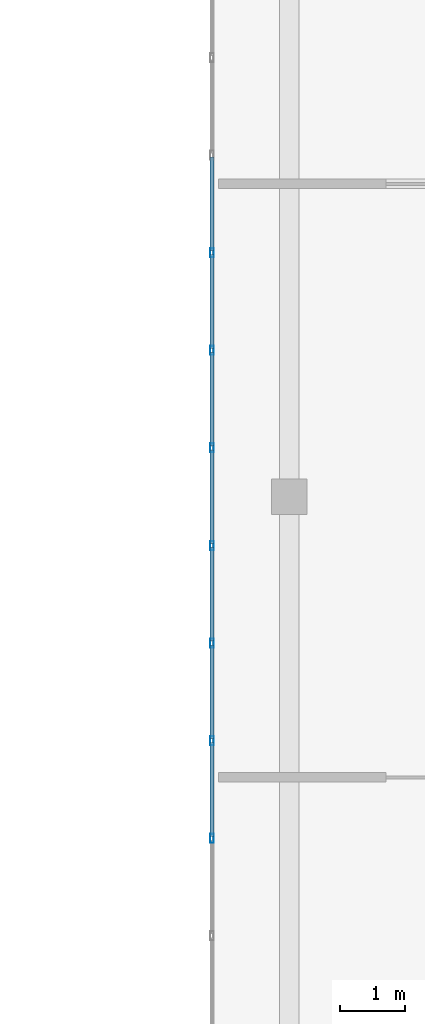
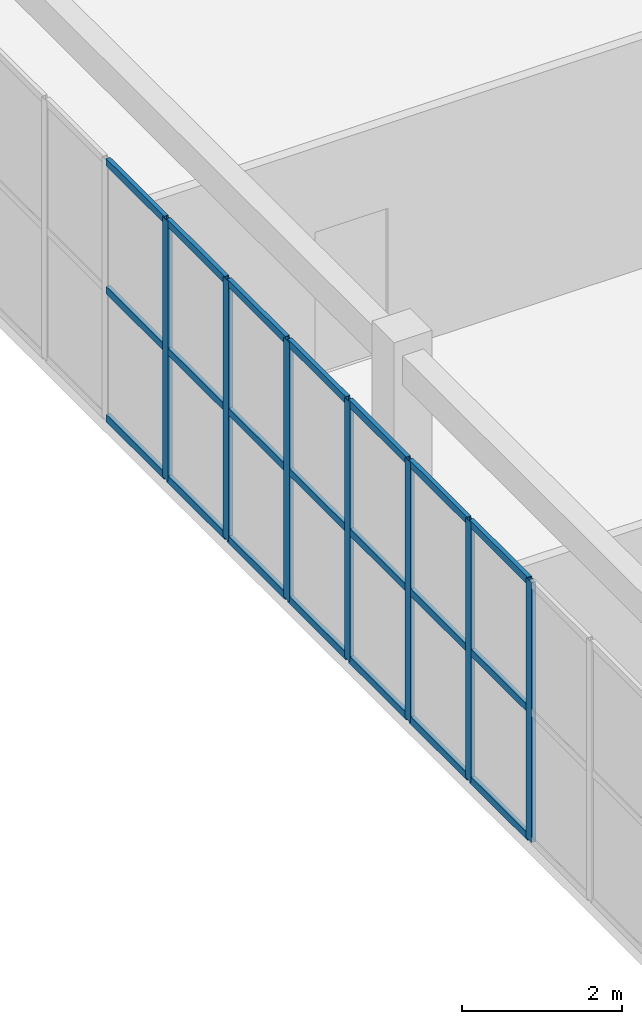
# One storey, part 19 of 81: 28 members, 1 element without a shape of its own.
"""IFC4 building model written with IfcOpenShell, lengths in metres."""

from ifc_helpers import new_model, si_unit, direction, frame, origin, origin_2d, place, context, subcontext, project, spatial, hollow_rectangle, extrude, material, layer, layer_set, material_profile, profile_set, type_object, element, aggregate, save


model = new_model("IFC4")

# Units and contexts
model_context = context("Model", 3, precision=1e-05, world=origin(), true_north=direction((0.0, 1.0)))
body_context = subcontext(model_context, "Body", "Model", "MODEL_VIEW")
ifc_project = project(units=[si_unit("LENGTHUNIT", "METRE"), si_unit("AREAUNIT", "SQUARE_METRE"), si_unit("VOLUMEUNIT", "CUBIC_METRE"), si_unit("PLANEANGLEUNIT", "RADIAN"), si_unit("MASSUNIT", "GRAM", prefix="KILO")], contexts=[model_context])

# Site, building, storey
site_placement = place(None, origin())
site = spatial("IfcSite", under=ifc_project, at=site_placement, CompositionType="ELEMENT")
building_placement = place(site_placement, origin())
building = spatial("IfcBuilding", under=site, at=building_placement, Name="Trelvath General Hospital", CompositionType="ELEMENT")
storey_placement = place(building_placement, frame((0.0, 0.0, 24.60009765625)))
storey = spatial("IfcBuildingStorey", under=building, at=storey_placement, Name="L06", CompositionType="ELEMENT", Elevation=24.60009765625)

# Curtain wall, members
ifc_material_1 = material(Name="Anodised aluminium and low-E glass", Category="aluminium")
ifc_layer = layer(ifc_material_1, 0.139892578125)
ifc_layer_set = layer_set([ifc_layer], Name="Anodised aluminium and low-E glass")
curtain_wall_type = type_object("IfcCurtainWallType", Name="CW CrystalCube 1664 396 14", PredefinedType="USERDEFINED", material=ifc_layer_set)
curtain_wall_placement = place(storey_placement, origin())
curtain_wall = element("IfcCurtainWall", 1, at=curtain_wall_placement, inside=storey, type_object=curtain_wall_type, Name="Crystal Cube Curtain Wall CUBE-W-T2 W2 L06", ObjectType="Unitised Glazed Curtain Wall", PredefinedType="USERDEFINED")
ifc_material_2 = material(Name="Anodised aluminium", Category="aluminium")
ifc_material_profile_1 = material_profile(ifc_material_2, hollow_rectangle(XDim=0.06005859375, YDim=0.139892578125, WallThickness=0.00390625, at=origin_2d()), Name="RHS60x140x4")
ifc_profile_set_1 = profile_set([ifc_material_profile_1], Name="Anodised aluminium")
member_type_1 = type_object("IfcMemberType", Name="CurtainMullion 60x140", PredefinedType="MULLION", material=ifc_profile_set_1)
member_1_placement = place(storey_placement, frame((59.60009765625, 53.50537109375, 0.0), z_axis=(0.0, 0.0, 1.0), x_axis=(-1.0, 0.0, 0.0)))
member_1 = element("IfcMember", 2, at=member_1_placement, type_object=member_type_1, Name="CW-329 mullion 3", PredefinedType="MULLION", context=body_context, shape_type="SweptSolid", body=[
    extrude(hollow_rectangle(XDim=0.06005859375, YDim=0.139892578125, WallThickness=0.00390625, at=origin_2d()), origin(), (0.0, 0.0, 1.0), 3.9599609375),
])
member_2_placement = place(storey_placement, frame((59.60009765625, 55.01806640625, 0.0), z_axis=(0.0, 0.0, 1.0), x_axis=(-1.0, 0.0, 0.0)))
member_2 = element("IfcMember", 3, at=member_2_placement, type_object=member_type_1, Name="CW-329 mullion 4", PredefinedType="MULLION", context=body_context, shape_type="SweptSolid", body=[
    extrude(hollow_rectangle(XDim=0.06005859375, YDim=0.139892578125, WallThickness=0.00390625, at=origin_2d()), origin(), (0.0, 0.0, 1.0), 3.9599609375),
])
member_3_placement = place(storey_placement, frame((59.60009765625, 56.531005859375, 0.0), z_axis=(0.0, 0.0, 1.0), x_axis=(-1.0, 0.0, 0.0)))
member_3 = element("IfcMember", 4, at=member_3_placement, type_object=member_type_1, Name="CW-329 mullion 5", PredefinedType="MULLION", context=body_context, shape_type="SweptSolid", body=[
    extrude(hollow_rectangle(XDim=0.06005859375, YDim=0.139892578125, WallThickness=0.00390625, at=origin_2d()), origin(), (0.0, 0.0, 1.0), 3.9599609375),
])
member_4_placement = place(storey_placement, frame((59.60009765625, 58.043701171875, 0.0), z_axis=(0.0, 0.0, 1.0), x_axis=(-1.0, 0.0, 0.0)))
member_4 = element("IfcMember", 5, at=member_4_placement, type_object=member_type_1, Name="CW-329 mullion 6", PredefinedType="MULLION", context=body_context, shape_type="SweptSolid", body=[
    extrude(hollow_rectangle(XDim=0.06005859375, YDim=0.139892578125, WallThickness=0.00390625, at=origin_2d()), origin(), (0.0, 0.0, 1.0), 3.9599609375),
])
member_5_placement = place(storey_placement, frame((59.60009765625, 59.556396484375, 0.0), z_axis=(0.0, 0.0, 1.0), x_axis=(-1.0, 0.0, 0.0)))
member_5 = element("IfcMember", 6, at=member_5_placement, type_object=member_type_1, Name="CW-329 mullion 7", PredefinedType="MULLION", context=body_context, shape_type="SweptSolid", body=[
    extrude(hollow_rectangle(XDim=0.06005859375, YDim=0.139892578125, WallThickness=0.00390625, at=origin_2d()), origin(), (0.0, 0.0, 1.0), 3.9599609375),
])
member_6_placement = place(storey_placement, frame((59.60009765625, 61.069091796875, 0.0), z_axis=(0.0, 0.0, 1.0), x_axis=(-1.0, 0.0, 0.0)))
member_6 = element("IfcMember", 7, at=member_6_placement, type_object=member_type_1, Name="CW-329 mullion 8", PredefinedType="MULLION", context=body_context, shape_type="SweptSolid", body=[
    extrude(hollow_rectangle(XDim=0.06005859375, YDim=0.139892578125, WallThickness=0.00390625, at=origin_2d()), origin(), (0.0, 0.0, 1.0), 3.9599609375),
])
member_7_placement = place(storey_placement, frame((59.60009765625, 62.581787109375, 0.0), z_axis=(0.0, 0.0, 1.0), x_axis=(-1.0, 0.0, 0.0)))
member_7 = element("IfcMember", 8, at=member_7_placement, type_object=member_type_1, Name="CW-329 mullion 9", PredefinedType="MULLION", context=body_context, shape_type="SweptSolid", body=[
    extrude(hollow_rectangle(XDim=0.06005859375, YDim=0.139892578125, WallThickness=0.00390625, at=origin_2d()), origin(), (0.0, 0.0, 1.0), 3.9599609375),
])
ifc_material_3 = material(Name="Anodised aluminium", Category="aluminium")
ifc_material_profile_2 = material_profile(ifc_material_3, hollow_rectangle(XDim=0.06005859375, YDim=0.110107421875, WallThickness=0.00390625, at=origin_2d()), Name="RHS60x110x4")
ifc_profile_set_2 = profile_set([ifc_material_profile_2], Name="Anodised aluminium")
member_type_2 = type_object("IfcMemberType", Name="CurtainTransom 60x110", PredefinedType="USERDEFINED", material=ifc_profile_set_2)
member_8_placement = place(storey_placement, frame((59.60009765625, 53.535400390625, 0.02978515625), z_axis=(0.0, 1.0, 0.0), x_axis=(-1.0, 0.0, 0.0)))
member_8 = element("IfcMember", 9, at=member_8_placement, type_object=member_type_2, Name="CW-329 transom 3.1", ObjectType="TRANSOM", PredefinedType="USERDEFINED", context=body_context, shape_type="SweptSolid", body=[
    extrude(hollow_rectangle(XDim=0.06005859375, YDim=0.110107421875, WallThickness=0.00390625, at=origin_2d()), origin(), (0.0, 0.0, 1.0), 1.452880859375),
])
member_9_placement = place(storey_placement, frame((59.60009765625, 53.535400390625, 1.97998046875), z_axis=(0.0, 1.0, 0.0), x_axis=(-1.0, 0.0, 0.0)))
member_9 = element("IfcMember", 10, at=member_9_placement, type_object=member_type_2, Name="CW-329 transom 3.2", ObjectType="TRANSOM", PredefinedType="USERDEFINED", context=body_context, shape_type="SweptSolid", body=[
    extrude(hollow_rectangle(XDim=0.06005859375, YDim=0.110107421875, WallThickness=0.00390625, at=origin_2d()), origin(), (0.0, 0.0, 1.0), 1.452880859375),
])
member_10_placement = place(storey_placement, frame((59.60009765625, 53.535400390625, 3.929931640625), z_axis=(0.0, 1.0, 0.0), x_axis=(-1.0, 0.0, 0.0)))
member_10 = element("IfcMember", 11, at=member_10_placement, type_object=member_type_2, Name="CW-329 transom 3.3", ObjectType="TRANSOM", PredefinedType="USERDEFINED", context=body_context, shape_type="SweptSolid", body=[
    extrude(hollow_rectangle(XDim=0.06005859375, YDim=0.110107421875, WallThickness=0.00390625, at=origin_2d()), origin(), (0.0, 0.0, 1.0), 1.452880859375),
])
member_11_placement = place(storey_placement, frame((59.60009765625, 55.048095703125, 0.02978515625), z_axis=(0.0, 1.0, 0.0), x_axis=(-1.0, 0.0, 0.0)))
member_11 = element("IfcMember", 12, at=member_11_placement, type_object=member_type_2, Name="CW-329 transom 4.1", ObjectType="TRANSOM", PredefinedType="USERDEFINED", context=body_context, shape_type="SweptSolid", body=[
    extrude(hollow_rectangle(XDim=0.06005859375, YDim=0.110107421875, WallThickness=0.00390625, at=origin_2d()), origin(), (0.0, 0.0, 1.0), 1.452880859375),
])
member_12_placement = place(storey_placement, frame((59.60009765625, 55.048095703125, 1.97998046875), z_axis=(0.0, 1.0, 0.0), x_axis=(-1.0, 0.0, 0.0)))
member_12 = element("IfcMember", 13, at=member_12_placement, type_object=member_type_2, Name="CW-329 transom 4.2", ObjectType="TRANSOM", PredefinedType="USERDEFINED", context=body_context, shape_type="SweptSolid", body=[
    extrude(hollow_rectangle(XDim=0.06005859375, YDim=0.110107421875, WallThickness=0.00390625, at=origin_2d()), origin(), (0.0, 0.0, 1.0), 1.452880859375),
])
member_13_placement = place(storey_placement, frame((59.60009765625, 55.048095703125, 3.929931640625), z_axis=(0.0, 1.0, 0.0), x_axis=(-1.0, 0.0, 0.0)))
member_13 = element("IfcMember", 14, at=member_13_placement, type_object=member_type_2, Name="CW-329 transom 4.3", ObjectType="TRANSOM", PredefinedType="USERDEFINED", context=body_context, shape_type="SweptSolid", body=[
    extrude(hollow_rectangle(XDim=0.06005859375, YDim=0.110107421875, WallThickness=0.00390625, at=origin_2d()), origin(), (0.0, 0.0, 1.0), 1.452880859375),
])
member_14_placement = place(storey_placement, frame((59.60009765625, 56.560791015625, 0.02978515625), z_axis=(0.0, 1.0, 0.0), x_axis=(-1.0, 0.0, 0.0)))
member_14 = element("IfcMember", 15, at=member_14_placement, type_object=member_type_2, Name="CW-329 transom 5.1", ObjectType="TRANSOM", PredefinedType="USERDEFINED", context=body_context, shape_type="SweptSolid", body=[
    extrude(hollow_rectangle(XDim=0.06005859375, YDim=0.110107421875, WallThickness=0.00390625, at=origin_2d()), origin(), (0.0, 0.0, 1.0), 1.452880859375),
])
member_15_placement = place(storey_placement, frame((59.60009765625, 56.560791015625, 1.97998046875), z_axis=(0.0, 1.0, 0.0), x_axis=(-1.0, 0.0, 0.0)))
member_15 = element("IfcMember", 16, at=member_15_placement, type_object=member_type_2, Name="CW-329 transom 5.2", ObjectType="TRANSOM", PredefinedType="USERDEFINED", context=body_context, shape_type="SweptSolid", body=[
    extrude(hollow_rectangle(XDim=0.06005859375, YDim=0.110107421875, WallThickness=0.00390625, at=origin_2d()), origin(), (0.0, 0.0, 1.0), 1.452880859375),
])
member_16_placement = place(storey_placement, frame((59.60009765625, 56.560791015625, 3.929931640625), z_axis=(0.0, 1.0, 0.0), x_axis=(-1.0, 0.0, 0.0)))
member_16 = element("IfcMember", 17, at=member_16_placement, type_object=member_type_2, Name="CW-329 transom 5.3", ObjectType="TRANSOM", PredefinedType="USERDEFINED", context=body_context, shape_type="SweptSolid", body=[
    extrude(hollow_rectangle(XDim=0.06005859375, YDim=0.110107421875, WallThickness=0.00390625, at=origin_2d()), origin(), (0.0, 0.0, 1.0), 1.452880859375),
])
member_17_placement = place(storey_placement, frame((59.60009765625, 58.07373046875, 0.02978515625), z_axis=(0.0, 1.0, 0.0), x_axis=(-1.0, 0.0, 0.0)))
member_17 = element("IfcMember", 18, at=member_17_placement, type_object=member_type_2, Name="CW-329 transom 6.1", ObjectType="TRANSOM", PredefinedType="USERDEFINED", context=body_context, shape_type="SweptSolid", body=[
    extrude(hollow_rectangle(XDim=0.06005859375, YDim=0.110107421875, WallThickness=0.00390625, at=origin_2d()), origin(), (0.0, 0.0, 1.0), 1.45263671875),
])
member_18_placement = place(storey_placement, frame((59.60009765625, 58.07373046875, 1.97998046875), z_axis=(0.0, 1.0, 0.0), x_axis=(-1.0, 0.0, 0.0)))
member_18 = element("IfcMember", 19, at=member_18_placement, type_object=member_type_2, Name="CW-329 transom 6.2", ObjectType="TRANSOM", PredefinedType="USERDEFINED", context=body_context, shape_type="SweptSolid", body=[
    extrude(hollow_rectangle(XDim=0.06005859375, YDim=0.110107421875, WallThickness=0.00390625, at=origin_2d()), origin(), (0.0, 0.0, 1.0), 1.45263671875),
])
member_19_placement = place(storey_placement, frame((59.60009765625, 58.07373046875, 3.929931640625), z_axis=(0.0, 1.0, 0.0), x_axis=(-1.0, 0.0, 0.0)))
member_19 = element("IfcMember", 20, at=member_19_placement, type_object=member_type_2, Name="CW-329 transom 6.3", ObjectType="TRANSOM", PredefinedType="USERDEFINED", context=body_context, shape_type="SweptSolid", body=[
    extrude(hollow_rectangle(XDim=0.06005859375, YDim=0.110107421875, WallThickness=0.00390625, at=origin_2d()), origin(), (0.0, 0.0, 1.0), 1.45263671875),
])
member_20_placement = place(storey_placement, frame((59.60009765625, 59.58642578125, 0.02978515625), z_axis=(0.0, 1.0, 0.0), x_axis=(-1.0, 0.0, 0.0)))
member_20 = element("IfcMember", 21, at=member_20_placement, type_object=member_type_2, Name="CW-329 transom 7.1", ObjectType="TRANSOM", PredefinedType="USERDEFINED", context=body_context, shape_type="SweptSolid", body=[
    extrude(hollow_rectangle(XDim=0.06005859375, YDim=0.110107421875, WallThickness=0.00390625, at=origin_2d()), origin(), (0.0, 0.0, 1.0), 1.45263671875),
])
member_21_placement = place(storey_placement, frame((59.60009765625, 59.58642578125, 1.97998046875), z_axis=(0.0, 1.0, 0.0), x_axis=(-1.0, 0.0, 0.0)))
member_21 = element("IfcMember", 22, at=member_21_placement, type_object=member_type_2, Name="CW-329 transom 7.2", ObjectType="TRANSOM", PredefinedType="USERDEFINED", context=body_context, shape_type="SweptSolid", body=[
    extrude(hollow_rectangle(XDim=0.06005859375, YDim=0.110107421875, WallThickness=0.00390625, at=origin_2d()), origin(), (0.0, 0.0, 1.0), 1.45263671875),
])
member_22_placement = place(storey_placement, frame((59.60009765625, 59.58642578125, 3.929931640625), z_axis=(0.0, 1.0, 0.0), x_axis=(-1.0, 0.0, 0.0)))
member_22 = element("IfcMember", 23, at=member_22_placement, type_object=member_type_2, Name="CW-329 transom 7.3", ObjectType="TRANSOM", PredefinedType="USERDEFINED", context=body_context, shape_type="SweptSolid", body=[
    extrude(hollow_rectangle(XDim=0.06005859375, YDim=0.110107421875, WallThickness=0.00390625, at=origin_2d()), origin(), (0.0, 0.0, 1.0), 1.45263671875),
])
member_23_placement = place(storey_placement, frame((59.60009765625, 61.09912109375, 0.02978515625), z_axis=(0.0, 1.0, 0.0), x_axis=(-1.0, 0.0, 0.0)))
member_23 = element("IfcMember", 24, at=member_23_placement, type_object=member_type_2, Name="CW-329 transom 8.1", ObjectType="TRANSOM", PredefinedType="USERDEFINED", context=body_context, shape_type="SweptSolid", body=[
    extrude(hollow_rectangle(XDim=0.06005859375, YDim=0.110107421875, WallThickness=0.00390625, at=origin_2d()), origin(), (0.0, 0.0, 1.0), 1.45263671875),
])
member_24_placement = place(storey_placement, frame((59.60009765625, 61.09912109375, 1.97998046875), z_axis=(0.0, 1.0, 0.0), x_axis=(-1.0, 0.0, 0.0)))
member_24 = element("IfcMember", 25, at=member_24_placement, type_object=member_type_2, Name="CW-329 transom 8.2", ObjectType="TRANSOM", PredefinedType="USERDEFINED", context=body_context, shape_type="SweptSolid", body=[
    extrude(hollow_rectangle(XDim=0.06005859375, YDim=0.110107421875, WallThickness=0.00390625, at=origin_2d()), origin(), (0.0, 0.0, 1.0), 1.45263671875),
])
member_25_placement = place(storey_placement, frame((59.60009765625, 61.09912109375, 3.929931640625), z_axis=(0.0, 1.0, 0.0), x_axis=(-1.0, 0.0, 0.0)))
member_25 = element("IfcMember", 26, at=member_25_placement, type_object=member_type_2, Name="CW-329 transom 8.3", ObjectType="TRANSOM", PredefinedType="USERDEFINED", context=body_context, shape_type="SweptSolid", body=[
    extrude(hollow_rectangle(XDim=0.06005859375, YDim=0.110107421875, WallThickness=0.00390625, at=origin_2d()), origin(), (0.0, 0.0, 1.0), 1.45263671875),
])
member_26_placement = place(storey_placement, frame((59.60009765625, 62.61181640625, 0.02978515625), z_axis=(0.0, 1.0, 0.0), x_axis=(-1.0, 0.0, 0.0)))
member_26 = element("IfcMember", 27, at=member_26_placement, type_object=member_type_2, Name="CW-329 transom 9.1", ObjectType="TRANSOM", PredefinedType="USERDEFINED", context=body_context, shape_type="SweptSolid", body=[
    extrude(hollow_rectangle(XDim=0.06005859375, YDim=0.110107421875, WallThickness=0.00390625, at=origin_2d()), origin(), (0.0, 0.0, 1.0), 1.45263671875),
])
member_27_placement = place(storey_placement, frame((59.60009765625, 62.61181640625, 1.97998046875), z_axis=(0.0, 1.0, 0.0), x_axis=(-1.0, 0.0, 0.0)))
member_27 = element("IfcMember", 28, at=member_27_placement, type_object=member_type_2, Name="CW-329 transom 9.2", ObjectType="TRANSOM", PredefinedType="USERDEFINED", context=body_context, shape_type="SweptSolid", body=[
    extrude(hollow_rectangle(XDim=0.06005859375, YDim=0.110107421875, WallThickness=0.00390625, at=origin_2d()), origin(), (0.0, 0.0, 1.0), 1.45263671875),
])
member_28_placement = place(storey_placement, frame((59.60009765625, 62.61181640625, 3.929931640625), z_axis=(0.0, 1.0, 0.0), x_axis=(-1.0, 0.0, 0.0)))
member_28 = element("IfcMember", 29, at=member_28_placement, type_object=member_type_2, Name="CW-329 transom 9.3", ObjectType="TRANSOM", PredefinedType="USERDEFINED", context=body_context, shape_type="SweptSolid", body=[
    extrude(hollow_rectangle(XDim=0.06005859375, YDim=0.110107421875, WallThickness=0.00390625, at=origin_2d()), origin(), (0.0, 0.0, 1.0), 1.45263671875),
])
aggregate(curtain_wall, [member_1, member_2, member_3, member_4, member_5, member_6, member_7, member_8, member_9, member_10, member_11, member_12, member_13, member_14, member_15, member_16, member_17, member_18, member_19, member_20, member_21, member_22, member_23, member_24, member_25, member_26, member_27, member_28])

save(model, "model.ifc")
